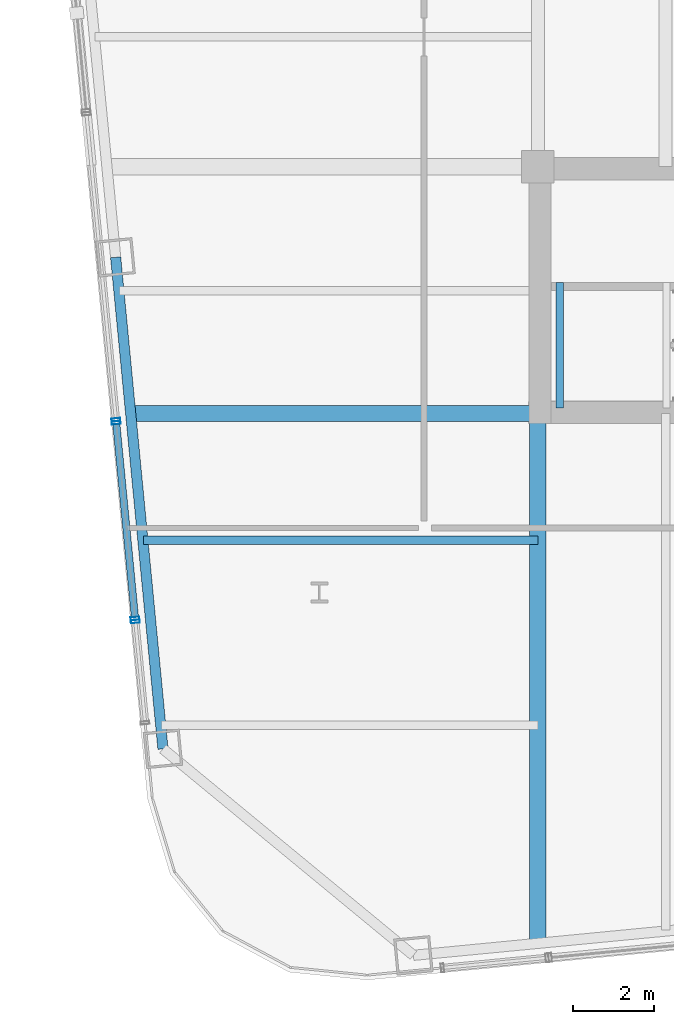
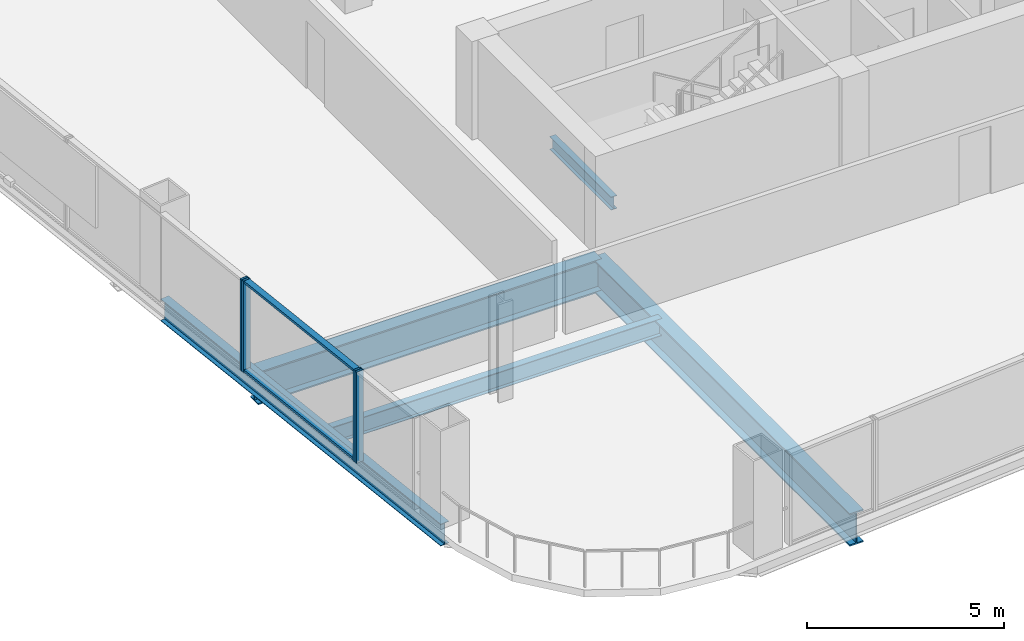
# One storey, part 3 of 27: 6 members, 5 beams, 3 elements without a shape of their own.
"""IFC4 building model written with IfcOpenShell, lengths in metres."""

from ifc_helpers import new_model, si_unit, direction, frame, origin, origin_2d, place, context, subcontext, project, spatial, hollow_rectangle, i_section, extrude, material, layer, layer_set, material_profile, profile_set, type_object, element, aggregate, save


model = new_model("IFC4")

# Units and contexts
model_context = context("Model", 3, precision=1e-05, world=origin(), true_north=direction((0.0, 1.0)))
body_context = subcontext(model_context, "Body", "Model", "MODEL_VIEW")
ifc_project = project(units=[si_unit("LENGTHUNIT", "METRE"), si_unit("AREAUNIT", "SQUARE_METRE"), si_unit("VOLUMEUNIT", "CUBIC_METRE"), si_unit("PLANEANGLEUNIT", "RADIAN"), si_unit("MASSUNIT", "GRAM", prefix="KILO")], contexts=[model_context])

# Site, building, storey
site_placement = place(None, origin())
site = spatial("IfcSite", under=ifc_project, at=site_placement, CompositionType="ELEMENT")
building_placement = place(site_placement, origin())
building = spatial("IfcBuilding", under=site, at=building_placement, Name="Qhalaya Broadcast Tower", CompositionType="ELEMENT")
storey_placement = place(building_placement, frame((0.0, 0.0, 75.550048828125)))
storey = spatial("IfcBuildingStorey", under=building, at=storey_placement, Name="L21", CompositionType="ELEMENT", Elevation=75.550048828125)

# Beams
ifc_material_1 = material(Name="Structural Steel ASTM A992 Grade 50", Category="steel")
ifc_material_profile_1 = material_profile(ifc_material_1, i_section(OverallWidth=0.2099609375, OverallDepth=0.535888671875, WebThickness=0.010986328125, FlangeThickness=0.017333984375, at=origin_2d()), Name="W21X68")
ifc_profile_set_1 = profile_set([ifc_material_profile_1], Name="Structural Steel ASTM A992 Grade 50")
beam_type_1 = type_object("IfcBeamType", Name="Composite Floor Joist J02", PredefinedType="JOIST", material=ifc_profile_set_1)
beam_1_placement = place(storey_placement, frame((-19.164794921875, -11.89990234375, -0.488037109375), z_axis=(1.0, 0.0, 0.0), x_axis=(0.0, 1.0, 0.0)))
element("IfcBeam", 1, at=beam_1_placement, inside=storey, type_object=beam_type_1, Name="L21 J02 L21-JWE2W-1", PredefinedType="JOIST", context=body_context, shape_type="SweptSolid", body=[
    extrude(i_section(OverallWidth=0.2099609375, OverallDepth=0.535888671875, WebThickness=0.010986328125, FlangeThickness=0.017333984375, at=origin_2d()), origin(), (0.0, 0.0, 1.0), 9.789794921875),
])
ifc_material_profile_2 = material_profile(ifc_material_1, i_section(OverallWidth=0.40087890625, OverallDepth=1.010986328125, WebThickness=0.023681640625, FlangeThickness=0.0419921875, at=origin_2d()), Name="W40X297")
ifc_profile_set_2 = profile_set([ifc_material_profile_2], Name="Structural Steel ASTM A992 Grade 50")
beam_type_2 = type_object("IfcBeamType", Name="Lower Block Primary Girder PG2", PredefinedType="USERDEFINED", material=ifc_profile_set_2)
beam_2_placement = place(storey_placement, frame((-9.375, -21.89501953125, -0.7255859375), z_axis=(0.0, 1.0, 0.0), x_axis=(-1.0, 0.0, 0.0)))
element("IfcBeam", 2, at=beam_2_placement, inside=storey, type_object=beam_type_2, Name="L21 PG2 L21-PGXS1-1", ObjectType="GIRDER", PredefinedType="USERDEFINED", context=body_context, shape_type="SweptSolid", body=[
    extrude(i_section(OverallWidth=0.40087890625, OverallDepth=1.010986328125, WebThickness=0.023681640625, FlangeThickness=0.0419921875, at=origin_2d()), origin(), (0.0, 0.0, 1.0), 13.14501953125),
])
beam_3_placement = place(storey_placement, frame((-19.468017578125, -8.75, -0.7255859375), z_axis=(1.0, 0.0, 0.0), x_axis=(0.0, 1.0, 0.0)))
element("IfcBeam", 3, at=beam_3_placement, inside=storey, type_object=beam_type_2, Name="L21 PG2 L21-PGYW1-1", ObjectType="GIRDER", PredefinedType="USERDEFINED", context=body_context, shape_type="SweptSolid", body=[
    extrude(i_section(OverallWidth=0.40087890625, OverallDepth=1.010986328125, WebThickness=0.023681640625, FlangeThickness=0.0419921875, at=origin_2d()), origin(), (0.0, 0.0, 1.0), 10.093017578125),
])
ifc_material_profile_3 = material_profile(ifc_material_1, i_section(OverallWidth=0.25390625, OverallDepth=0.68310546875, WebThickness=0.012451171875, FlangeThickness=0.01904296875, at=origin_2d()), Name="W27X94")
ifc_profile_set_3 = profile_set([ifc_material_profile_3], Name="Structural Steel ASTM A992 Grade 50")
beam_type_3 = type_object("IfcBeamType", Name="Perimeter Ring Spandrel Beam SP1", PredefinedType="SPANDREL", material=ifc_profile_set_3)
beam_4_placement = place(storey_placement, frame((-19.861083984375, -4.875, -0.5615234375), z_axis=(0.095831866369, -0.995397535354, 0.0), x_axis=(0.995397535354, 0.095831866369, 0.0)))
element("IfcBeam", 4, at=beam_4_placement, inside=storey, type_object=beam_type_3, Name="L21 SP1 L21-SPR-15", PredefinedType="SPANDREL", context=body_context, shape_type="SweptSolid", body=[
    extrude(i_section(OverallWidth=0.25390625, OverallDepth=0.68310546875, WebThickness=0.012451171875, FlangeThickness=0.01904296875, at=origin_2d()), origin(), (0.0, 0.0, 1.0), 12.2666015625),
])

# Curtain wall, member
ifc_material_2 = material(Name="Fired Architectural Terracotta", Category="masonry")
ifc_layer_1 = layer(ifc_material_2, 0.219970703125, Name="Fired Architectural Terracotta")
ifc_layer_set_1 = layer_set([ifc_layer_1], Name="Fired Architectural Terracotta")
curtain_wall_type_1 = type_object("IfcCurtainWallType", Name="Block-Cap Unitised Terracotta Spandrel Wall CW-07", PredefinedType="NOTDEFINED", material=ifc_layer_set_1)
curtain_wall_1_placement = place(storey_placement, origin())
curtain_wall_1 = element("IfcCurtainWall", 5, at=curtain_wall_1_placement, inside=storey, type_object=curtain_wall_type_1, Name="L21 Unitised Curtain Wall L21-CW-W5", PredefinedType="NOTDEFINED")
ifc_material_3 = material(Name="Anodised Aluminium 6063-T6", Category="aluminium")
ifc_material_profile_4 = material_profile(ifc_material_3, hollow_rectangle(XDim=0.074951171875, YDim=0.219970703125, WallThickness=0.00390625, at=origin_2d()), Name="ALU-MUL 75x220x4")
ifc_profile_set_4 = profile_set([ifc_material_profile_4], Name="Anodised Aluminium 6063-T6")
member_type_1 = type_object("IfcMemberType", Name="Unitised Curtain-Wall Mullion M01", PredefinedType="MULLION", material=ifc_profile_set_4)
member_1_placement = place(storey_placement, frame((-19.8544921875, -8.91015625, 0.0), z_axis=(0.0, 0.0, 1.0), x_axis=(0.095849092763, -0.995395876733, 0.0)))
member_1 = element("IfcMember", 6, at=member_1_placement, type_object=member_type_1, Name="CW-07 mullion 2", PredefinedType="MULLION", context=body_context, shape_type="SweptSolid", body=[
    extrude(hollow_rectangle(XDim=0.074951171875, YDim=0.219970703125, WallThickness=0.00390625, at=origin_2d()), origin(), (0.0, 0.0, 1.0), 2.829833984375),
])
aggregate(curtain_wall_1, [member_1])

# Curtain wall, members
ifc_material_4 = material(Name="Solar-Control Low-E Triple Glazing", Category="glass")
ifc_layer_2 = layer(ifc_material_4, 0.219970703125, Name="Solar-Control Low-E Triple Glazing")
ifc_layer_set_2 = layer_set([ifc_layer_2], Name="Solar-Control Low-E Triple Glazing")
curtain_wall_type_2 = type_object("IfcCurtainWallType", Name="Even-Block 4-Storey Double-Module Curtain Wall CW-03", PredefinedType="NOTDEFINED", material=ifc_layer_set_2)
curtain_wall_2_placement = place(storey_placement, origin())
curtain_wall_2 = element("IfcCurtainWall", 7, at=curtain_wall_2_placement, inside=storey, type_object=curtain_wall_type_2, Name="L21 Unitised Curtain Wall L21-CW-W6", PredefinedType="NOTDEFINED")
member_2_placement = place(storey_placement, frame((-19.84716796875, -8.984619140625, 0.0), z_axis=(0.0, 0.0, 1.0), x_axis=(0.095846535553, -0.995396122969, 0.0)))
member_2 = element("IfcMember", 8, at=member_2_placement, type_object=member_type_1, Name="CW-03 mullion 1", PredefinedType="MULLION", context=body_context, shape_type="SweptSolid", body=[
    extrude(hollow_rectangle(XDim=0.074951171875, YDim=0.219970703125, WallThickness=0.00390625, at=origin_2d()), origin(), (0.0, 0.0, 1.0), 2.829833984375),
])
member_3_placement = place(storey_placement, frame((-19.379150390625, -13.84521484375, 0.0), z_axis=(0.0, 0.0, 1.0), x_axis=(0.095846535553, -0.995396122969, 0.0)))
member_3 = element("IfcMember", 9, at=member_3_placement, type_object=member_type_1, Name="CW-03 mullion 2", PredefinedType="MULLION", context=body_context, shape_type="SweptSolid", body=[
    extrude(hollow_rectangle(XDim=0.074951171875, YDim=0.219970703125, WallThickness=0.00390625, at=origin_2d()), origin(), (0.0, 0.0, 1.0), 2.829833984375),
])

# Curtain wall, member
curtain_wall_3_placement = place(storey_placement, origin())
curtain_wall_3 = element("IfcCurtainWall", 10, at=curtain_wall_3_placement, inside=storey, type_object=curtain_wall_type_1, Name="L21 Unitised Curtain Wall L21-CW-W7", PredefinedType="NOTDEFINED")
member_4_placement = place(storey_placement, frame((-19.3720703125, -13.919921875, 0.0), z_axis=(0.0, 0.0, 1.0), x_axis=(0.095849237045, -0.995395862839, 0.0)))
member_4 = element("IfcMember", 11, at=member_4_placement, type_object=member_type_1, Name="CW-07 mullion 1", PredefinedType="MULLION", context=body_context, shape_type="SweptSolid", body=[
    extrude(hollow_rectangle(XDim=0.074951171875, YDim=0.219970703125, WallThickness=0.00390625, at=origin_2d()), origin(), (0.0, 0.0, 1.0), 2.829833984375),
])
aggregate(curtain_wall_3, [member_4])

# Member
ifc_material_profile_5 = material_profile(ifc_material_3, hollow_rectangle(XDim=0.074951171875, YDim=0.179931640625, WallThickness=0.00390625, at=origin_2d()), Name="ALU-TRN 75x180x4")
ifc_profile_set_5 = profile_set([ifc_material_profile_5], Name="Anodised Aluminium 6063-T6")
member_type_2 = type_object("IfcMemberType", Name="Unitised Curtain-Wall Transom T01", PredefinedType="USERDEFINED", material=ifc_profile_set_5)
member_5_placement = place(storey_placement, frame((-19.843505859375, -9.02197265625, 0.037353515625), z_axis=(0.0958178693, -0.995398882822, 0.0), x_axis=(0.0, 0.0, 1.0)))
member_5 = element("IfcMember", 12, at=member_5_placement, type_object=member_type_2, Name="CW-03 transom 1.1", ObjectType="TRANSOM", PredefinedType="USERDEFINED", context=body_context, shape_type="SweptSolid", body=[
    extrude(hollow_rectangle(XDim=0.074951171875, YDim=0.179931640625, WallThickness=0.00390625, at=origin_2d()), origin(), (0.0, 0.0, 1.0), 4.80810546875),
])

member_6_placement = place(storey_placement, frame((-19.843505859375, -9.02197265625, 2.79248046875), z_axis=(0.0958178693, -0.995398882822, 0.0), x_axis=(0.0, 0.0, 1.0)))
member_6 = element("IfcMember", 13, at=member_6_placement, type_object=member_type_2, Name="CW-03 transom 1.2", ObjectType="TRANSOM", PredefinedType="USERDEFINED", context=body_context, shape_type="SweptSolid", body=[
    extrude(hollow_rectangle(XDim=0.074951171875, YDim=0.179931640625, WallThickness=0.00390625, at=origin_2d()), origin(), (0.0, 0.0, 1.0), 4.80810546875),
])

aggregate(curtain_wall_2, [member_2, member_3, member_5, member_6])

# Beam
ifc_material_profile_6 = material_profile(ifc_material_1, i_section(OverallWidth=0.177978515625, OverallDepth=0.406005859375, WebThickness=0.0078125, FlangeThickness=0.0126953125, at=origin_2d()), Name="W16X40")
ifc_profile_set_6 = profile_set([ifc_material_profile_6], Name="Structural Steel ASTM A992 Grade 50")
beam_type_4 = type_object("IfcBeamType", Name="Upper Perimeter Spandrel Beam SP2", PredefinedType="SPANDREL", material=ifc_profile_set_6)
beam_5_placement = place(storey_placement, frame((-8.830078125, -8.6201171875, 1.1220703125), z_axis=(0.0, 1.0, 0.0), x_axis=(-1.0, 0.0, 0.0)))
element("IfcBeam", 14, at=beam_5_placement, inside=storey, type_object=beam_type_4, Name="L21 ST-2 Half-Landing Bearer Beam 1", PredefinedType="SPANDREL", context=body_context, shape_type="SweptSolid", body=[
    extrude(i_section(OverallWidth=0.177978515625, OverallDepth=0.406005859375, WebThickness=0.0078125, FlangeThickness=0.0126953125, at=origin_2d()), origin(), (0.0, 0.0, 1.0), 3.1201171875),
])

save(model, "model.ifc")
